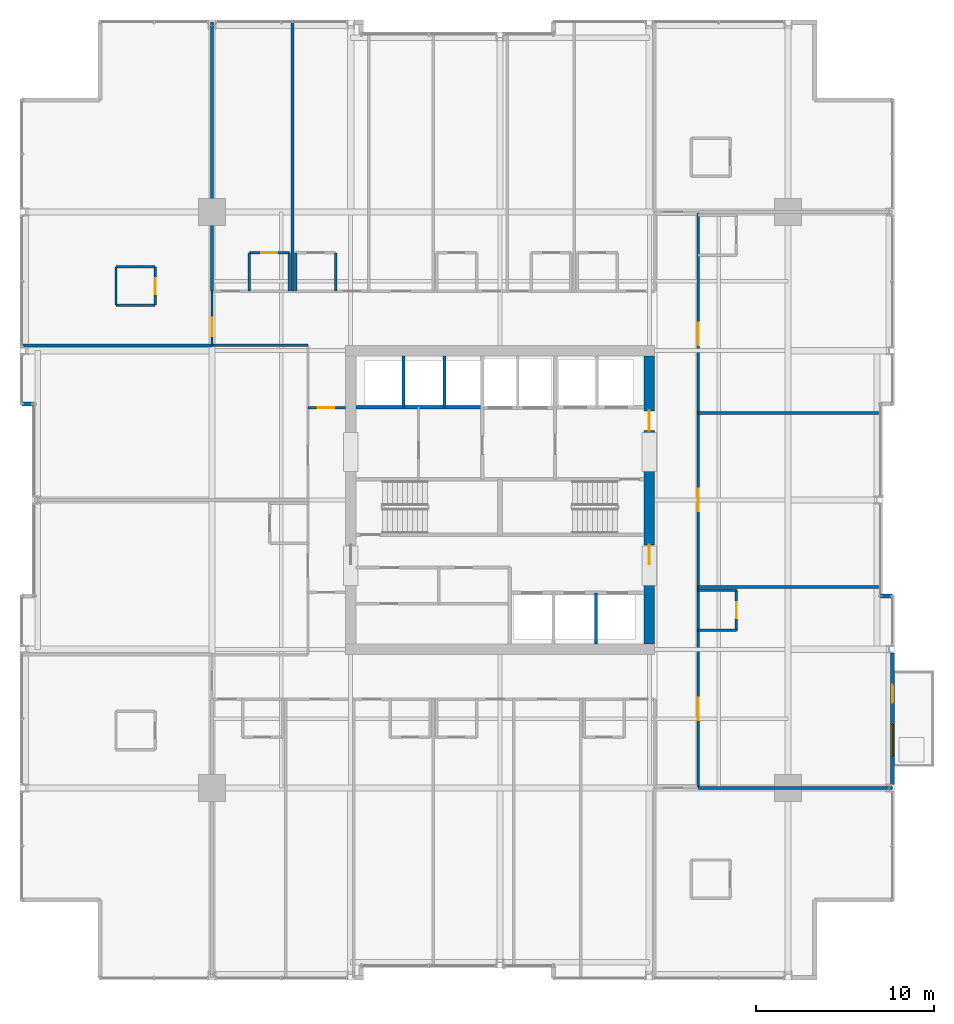
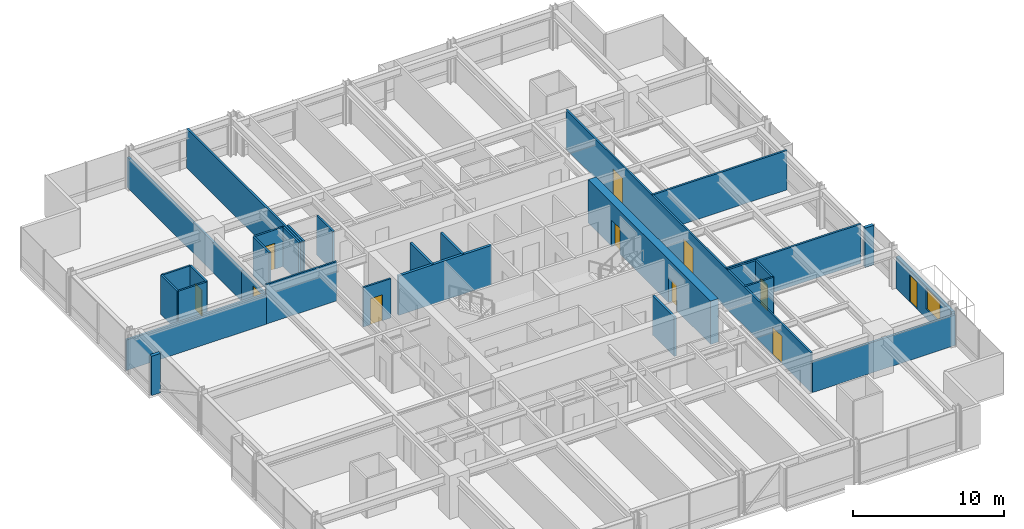
# One storey, part 30 of 35: 30 walls, 11 doors, 1 window, 12 openings.
"""IFC4 building model written with IfcOpenShell, lengths in metres."""

from ifc_helpers import new_model, si_unit, direction, frame, frame_2d, origin, place, context, subcontext, project, spatial, rectangle, extrude, material, layer, layer_set, type_object, element, fill, save


model = new_model("IFC4")

# Units and contexts
model_context = context("Model", 3, precision=1e-05, world=origin(), true_north=direction((0.0, 1.0)))
body_context = subcontext(model_context, "Body", "Model", "MODEL_VIEW")
ifc_project = project(units=[si_unit("LENGTHUNIT", "METRE"), si_unit("AREAUNIT", "SQUARE_METRE"), si_unit("VOLUMEUNIT", "CUBIC_METRE"), si_unit("PLANEANGLEUNIT", "RADIAN"), si_unit("MASSUNIT", "GRAM", prefix="KILO")], contexts=[model_context])

# Site, building, storey
site_placement = place(None, origin())
site = spatial("IfcSite", under=ifc_project, at=site_placement, CompositionType="ELEMENT")
building_placement = place(site_placement, origin())
building = spatial("IfcBuilding", under=site, at=building_placement, Name="Drelvath Grand Hotel", CompositionType="ELEMENT")
storey_placement = place(building_placement, frame((0.0, 0.0, 137.300048828125)))
storey = spatial("IfcBuildingStorey", under=building, at=storey_placement, Name="L35", CompositionType="ELEMENT", Elevation=137.300048828125)

# Walls
ifc_material_1 = material(Name="Concrete C40/50", Category="concrete")
ifc_layer_1 = layer(ifc_material_1, 0.199951171875)
ifc_layer_set_1 = layer_set([ifc_layer_1], Name="Concrete C40/50")
wall_type_1 = type_object("IfcWallType", Name="Core Hoistway Fire Wall 200", PredefinedType="SOLIDWALL", material=ifc_layer_set_1)
wall_1_placement = place(storey_placement, frame((-8.10009765625, 32.219970703125, 0.0), z_axis=(0.0, 0.0, 1.0), x_axis=(1.0, 0.0, 0.0)))
element("IfcWall", 1, at=wall_1_placement, inside=storey, type_object=wall_type_1, Name="L35 Bank 3 Hoistway Wall", PredefinedType="SOLIDWALL", context=body_context, shape_type="SweptSolid", body=[
    extrude(rectangle(XDim=7.10009765625, YDim=0.199951171875, at=frame_2d((3.550048828125, 0.0))), origin(), (0.0, 0.0, 1.0), 3.179931640625),
])
ifc_material_2 = material(Name="Gypsum Fireboard Partition")
ifc_layer_2 = layer(ifc_material_2, 0.1650390625)
ifc_layer_set_2 = layer_set([ifc_layer_2], Name="Gypsum Fireboard Partition")
wall_type_2 = type_object("IfcWallType", Name="Core Shaft Partition 165", PredefinedType="PARTITIONING", material=ifc_layer_set_2)
for number, where, z_axis, x_axis, name in (
    (2, (-5.43994140625, 32.219970703125, 0.0), (0.0, 0.0, 1.0), (0.0, 1.0, 0.0), "L35 Lift PE-7/8 Divider"),
    (3, (-3.1201171875, 32.219970703125, 0.0), (0.0, 0.0, 1.0), (0.0, 1.0, 0.0), "L35 Lift PE-8/9 Divider"),
    (4, (5.39990234375, 18.89990234375, 0.0), (0.0, 0.0, 1.0), (0.0, 1.0, 0.0), "L35 Lift PE-5/6 Divider"),
):
    element("IfcWall", number, at=place(storey_placement, frame(where, z_axis=z_axis, x_axis=x_axis)), inside=storey, type_object=wall_type_2, Name=name, PredefinedType="PARTITIONING", context=body_context, shape_type="SweptSolid", body=[
        extrude(rectangle(XDim=2.880126953125, YDim=0.1650390625, at=frame_2d((1.43994140625, 0.0))), origin(), (0.0, 0.0, 1.0), 3.179931640625),
    ])

# Wall, opening, door
ifc_layer_3 = layer(ifc_material_2, 0.135009765625)
ifc_layer_set_3 = layer_set([ifc_layer_3], Name="Gypsum Fireboard Partition")
wall_type_3 = type_object("IfcWallType", Name="Corridor Fire Barrier Wall 135", PredefinedType="PARTITIONING", material=ifc_layer_set_3)
wall_2_placement = place(storey_placement, frame((-10.800048828125, 32.199951171875, 0.0), z_axis=(0.0, 0.0, 1.0), x_axis=(1.0, 0.0, 0.0)))
wall_2 = element("IfcWall", 5, at=wall_2_placement, inside=storey, type_object=wall_type_3, Name="L35 West Foyer North Wall", PredefinedType="PARTITIONING", context=body_context, shape_type="SweptSolid", body=[
    extrude(rectangle(XDim=2.10009765625, YDim=0.135009765625, at=frame_2d((1.050048828125, 0.0))), origin(), (0.0, 0.0, 1.0), 3.179931640625),
])
opening_1_placement = place(wall_2_placement, frame((0.550048828125, 0.0, 0.0)))
opening_1 = element("IfcOpeningElement", 6, at=opening_1_placement, cuts=wall_2, Name="Opening D-T2G5-020", PredefinedType="OPENING", context=body_context, shape_type="SweptSolid", body=[
    extrude(rectangle(XDim=0.919921875, YDim=2.10009765625, at=frame_2d((0.4599609375, 1.050048828125))), frame((0.0, 0.077392578125, 0.0), z_axis=(0.0, -1.0, 0.0), x_axis=(1.0, 0.0, 0.0)), (0.0, 0.0, 1.0), 0.155029296875),
])
ifc_material_3 = material(Name="Painted Steel S275", Category="steel")
door_type_1 = type_object("IfcDoorType", Name="Staff Utility Door 920x2100", OperationType="NOTDEFINED", PredefinedType="DOOR", material=ifc_material_3)
door_1_placement = place(opening_1_placement, origin())
door_1 = element("IfcDoor", 7, at=door_1_placement, inside=storey, type_object=door_type_1, Name="L35 West Pantry Door", OperationType="SINGLE_SWING_LEFT", OverallHeight=2.10009765625, OverallWidth=0.919921875, PredefinedType="DOOR", context=body_context, shape_type="SweptSolid", body=[
    extrude(rectangle(XDim=0.919921875, YDim=2.10009765625, at=frame_2d((0.4599609375, 1.050048828125))), frame((0.0, 0.02490234375, 0.0), z_axis=(0.0, -1.0, 0.0), x_axis=(1.0, 0.0, 0.0)), (0.0, 0.0, 1.0), 0.050048828125),
])
fill(opening_1, door_1)

# Wall
wall_3_placement = place(storey_placement, frame((-16.199951171875, 35.699951171875, 0.0), z_axis=(0.0, 0.0, 1.0), x_axis=(1.0, 0.0, 0.0)))
element("IfcWall", 8, at=wall_3_placement, inside=storey, type_object=wall_type_3, Name="L35 NW Stub South Wall", PredefinedType="PARTITIONING", context=body_context, shape_type="SweptSolid", body=[
    extrude(rectangle(XDim=5.39990234375, YDim=0.135009765625, at=frame_2d((2.699951171875, 0.0))), origin(), (0.0, 0.0, 1.0), 3.179931640625),
])

# Wall, openings, doors
wall_4_placement = place(storey_placement, frame((11.14990234375, 10.800048828125, 0.0), z_axis=(0.0, 0.0, 1.0), x_axis=(0.0, 1.0, 0.0)))
wall_4 = element("IfcWall", 9, at=wall_4_placement, inside=storey, type_object=wall_type_3, Name="L35 East Spine Corridor Wall", PredefinedType="PARTITIONING", context=body_context, shape_type="SweptSolid", body=[
    extrude(rectangle(XDim=32.39990234375, YDim=0.135009765625, at=frame_2d((16.199951171875, 0.0))), origin(), (0.0, 0.0, 1.0), 3.179931640625),
])
opening_2_placement = place(wall_4_placement, frame((3.80615234375, 0.0, 0.0)))
opening_2 = element("IfcOpeningElement", 10, at=opening_2_placement, cuts=wall_4, Name="Opening D-T2G5-051", PredefinedType="OPENING", context=body_context, shape_type="SweptSolid", body=[
    extrude(rectangle(XDim=1.260009765625, YDim=2.199951171875, at=frame_2d((0.6298828125, 1.10009765625))), frame((0.0, 0.077392578125, 0.0), z_axis=(0.0, -1.0, 0.0), x_axis=(1.0, 0.0, 0.0)), (0.0, 0.0, 1.0), 0.155029296875),
])
opening_3_placement = place(wall_4_placement, frame((15.570068359375, 0.0, 0.0)))
opening_3 = element("IfcOpeningElement", 11, at=opening_3_placement, cuts=wall_4, Name="Opening D-T2G5-052", PredefinedType="OPENING", context=body_context, shape_type="SweptSolid", body=[
    extrude(rectangle(XDim=1.260009765625, YDim=2.199951171875, at=frame_2d((0.6298828125, 1.10009765625))), frame((0.0, 0.077392578125, 0.0), z_axis=(0.0, -1.0, 0.0), x_axis=(1.0, 0.0, 0.0)), (0.0, 0.0, 1.0), 0.155029296875),
])
opening_4_placement = place(wall_4_placement, frame((24.90380859375, 0.0, 0.0)))
opening_4 = element("IfcOpeningElement", 12, at=opening_4_placement, cuts=wall_4, Name="Opening D-T2G5-054", PredefinedType="OPENING", context=body_context, shape_type="SweptSolid", body=[
    extrude(rectangle(XDim=1.260009765625, YDim=2.199951171875, at=frame_2d((0.6298828125, 1.10009765625))), frame((0.0, 0.077392578125, 0.0), z_axis=(0.0, -1.0, 0.0), x_axis=(1.0, 0.0, 0.0)), (0.0, 0.0, 1.0), 0.155029296875),
])
ifc_material_4 = material(Name="Hardwood Walnut Timber", Category="wood")
door_type_2 = type_object("IfcDoorType", Name="Suite Entrance Fire Door 1260x2200", OperationType="NOTDEFINED", PredefinedType="DOOR", material=ifc_material_4)
door_2_placement = place(opening_2_placement, origin())
door_2 = element("IfcDoor", 13, at=door_2_placement, inside=storey, type_object=door_type_2, Name="L35 Corner Suite Entry Door", OperationType="SINGLE_SWING_RIGHT", OverallHeight=2.199951171875, OverallWidth=1.260009765625, PredefinedType="DOOR", context=body_context, shape_type="SweptSolid", body=[
    extrude(rectangle(XDim=1.260009765625, YDim=2.199951171875, at=frame_2d((0.6298828125, 1.10009765625))), frame((0.0, 0.02490234375, 0.0), z_axis=(0.0, -1.0, 0.0), x_axis=(1.0, 0.0, 0.0)), (0.0, 0.0, 1.0), 0.050048828125),
])
fill(opening_2, door_2)
door_3_placement = place(opening_3_placement, origin())
door_3 = element("IfcDoor", 14, at=door_3_placement, inside=storey, type_object=door_type_2, Name="L35 Concierge Suite Office Entry Door", OperationType="SINGLE_SWING_LEFT", OverallHeight=2.199951171875, OverallWidth=1.260009765625, PredefinedType="DOOR", context=body_context, shape_type="SweptSolid", body=[
    extrude(rectangle(XDim=1.260009765625, YDim=2.199951171875, at=frame_2d((0.6298828125, 1.10009765625))), frame((0.0, 0.02490234375, 0.0), z_axis=(0.0, -1.0, 0.0), x_axis=(1.0, 0.0, 0.0)), (0.0, 0.0, 1.0), 0.050048828125),
])
fill(opening_3, door_3)
door_4_placement = place(opening_4_placement, origin())
door_4 = element("IfcDoor", 15, at=door_4_placement, inside=storey, type_object=door_type_2, Name="L35 Corner Suite Entry Door", OperationType="SINGLE_SWING_LEFT", OverallHeight=2.199951171875, OverallWidth=1.260009765625, PredefinedType="DOOR", context=body_context, shape_type="SweptSolid", body=[
    extrude(rectangle(XDim=1.260009765625, YDim=2.199951171875, at=frame_2d((0.6298828125, 1.10009765625))), frame((0.0, 0.02490234375, 0.0), z_axis=(0.0, -1.0, 0.0), x_axis=(1.0, 0.0, 0.0)), (0.0, 0.0, 1.0), 0.050048828125),
])
fill(opening_4, door_4)

# Wall, opening, door
wall_5_placement = place(storey_placement, frame((-16.199951171875, 35.699951171875, 0.0), z_axis=(0.0, 0.0, 1.0), x_axis=(0.0, 1.0, 0.0)))
wall_5 = element("IfcWall", 16, at=wall_5_placement, inside=storey, type_object=wall_type_3, Name="L35 North Stub West End", PredefinedType="PARTITIONING", context=body_context, shape_type="SweptSolid", body=[
    extrude(rectangle(XDim=3.050048828125, YDim=0.135009765625, at=frame_2d((1.52490234375, 0.0))), origin(), (0.0, 0.0, 1.0), 2.469482421875),
])
opening_5_placement = place(wall_5_placement, frame((0.52001953125, 0.0, 0.0)))
opening_5 = element("IfcOpeningElement", 17, at=opening_5_placement, cuts=wall_5, Name="Opening D-T2G5-024", PredefinedType="OPENING", context=body_context, shape_type="SweptSolid", body=[
    extrude(rectangle(XDim=1.02001953125, YDim=2.14990234375, at=frame_2d((0.510009765625, 1.074951171875))), frame((0.0, 0.077392578125, 0.0), z_axis=(0.0, -1.0, 0.0), x_axis=(1.0, 0.0, 0.0)), (0.0, 0.0, 1.0), 0.155029296875),
])
door_type_3 = type_object("IfcDoorType", Name="Amenity Meeting Fire Door 1020x2150", OperationType="NOTDEFINED", PredefinedType="DOOR", material=ifc_material_4)
door_5_placement = place(opening_5_placement, origin())
door_5 = element("IfcDoor", 18, at=door_5_placement, inside=storey, type_object=door_type_3, Name="L35 Corner Suite Entry Door", OperationType="SINGLE_SWING_LEFT", OverallHeight=2.14990234375, OverallWidth=1.02001953125, PredefinedType="DOOR", context=body_context, shape_type="SweptSolid", body=[
    extrude(rectangle(XDim=1.02001953125, YDim=2.14990234375, at=frame_2d((0.510009765625, 1.074951171875))), frame((0.0, 0.02490234375, 0.0), z_axis=(0.0, -1.0, 0.0), x_axis=(1.0, 0.0, 0.0)), (0.0, 0.0, 1.0), 0.050048828125),
])
fill(opening_5, door_5)

# Walls
ifc_material_5 = material(Name="Moisture-Resistant Gypsum Board")
ifc_layer_4 = layer(ifc_material_5, 0.139892578125)
ifc_layer_set_4 = layer_set([ifc_layer_4], Name="Moisture-Resistant Gypsum Board")
wall_type_4 = type_object("IfcWallType", Name="En-Suite Plumbing Wall 140", PredefinedType="PLUMBINGWALL", material=ifc_layer_set_4)
for number, where, z_axis, x_axis, name in (
    (19, (-21.60009765625, 37.9599609375, 0.0), (0.0, 0.0, 1.0), (1.0, 0.0, 0.0), "L35 Corner En-Suite South"),
    (20, (-21.60009765625, 40.110107421875, 0.0), (0.0, 0.0, 1.0), (1.0, 0.0, 0.0), "L35 Corner En-Suite North"),
):
    element("IfcWall", number, at=place(storey_placement, frame(where, z_axis=z_axis, x_axis=x_axis)), inside=storey, type_object=wall_type_4, Name=name, PredefinedType="PLUMBINGWALL", context=body_context, shape_type="SweptSolid", body=[
        extrude(rectangle(XDim=2.2001953125, YDim=0.139892578125, at=frame_2d((1.10009765625, 0.0))), origin(), (0.0, 0.0, 1.0), 3.179931640625),
    ])
wall_6_placement = place(storey_placement, frame((-21.60009765625, 37.9599609375, 0.0), z_axis=(0.0, 0.0, 1.0), x_axis=(0.0, 1.0, 0.0)))
element("IfcWall", 21, at=wall_6_placement, inside=storey, type_object=wall_type_4, Name="L35 Corner En-Suite West", PredefinedType="PLUMBINGWALL", context=body_context, shape_type="SweptSolid", body=[
    extrude(rectangle(XDim=2.150146484375, YDim=0.139892578125, at=frame_2d((1.0751953125, 0.0))), origin(), (0.0, 0.0, 1.0), 3.179931640625),
])

# Wall, opening, door
wall_7_placement = place(storey_placement, frame((-19.39990234375, 37.9599609375, 0.0), z_axis=(0.0, 0.0, 1.0), x_axis=(0.0, 1.0, 0.0)))
wall_7 = element("IfcWall", 22, at=wall_7_placement, inside=storey, type_object=wall_type_4, Name="L35 Corner En-Suite East", PredefinedType="PLUMBINGWALL", context=body_context, shape_type="SweptSolid", body=[
    extrude(rectangle(XDim=2.150146484375, YDim=0.139892578125, at=frame_2d((1.0751953125, 0.0))), origin(), (0.0, 0.0, 1.0), 3.179931640625),
])
opening_6_placement = place(wall_7_placement, frame((0.6201171875, 0.0, 0.0)))
opening_6 = element("IfcOpeningElement", 23, at=opening_6_placement, cuts=wall_7, Name="Opening D-T2G5-023", PredefinedType="OPENING", context=body_context, shape_type="SweptSolid", body=[
    extrude(rectangle(XDim=0.8798828125, YDim=2.10009765625, at=frame_2d((0.43994140625, 1.050048828125))), frame((0.0, 0.079833984375, 0.0), z_axis=(0.0, -1.0, 0.0), x_axis=(1.0, 0.0, 0.0)), (0.0, 0.0, 1.0), 0.159912109375),
])
door_type_4 = type_object("IfcDoorType", Name="En-Suite Bathroom Door 880x2100", OperationType="NOTDEFINED", PredefinedType="DOOR", material=ifc_material_4)
door_6_placement = place(opening_6_placement, origin())
door_6 = element("IfcDoor", 24, at=door_6_placement, inside=storey, type_object=door_type_4, Name="L35 Corner En-Suite Door", OperationType="SINGLE_SWING_RIGHT", OverallHeight=2.10009765625, OverallWidth=0.8798828125, PredefinedType="DOOR", context=body_context, shape_type="SweptSolid", body=[
    extrude(rectangle(XDim=0.8798828125, YDim=2.10009765625, at=frame_2d((0.43994140625, 1.050048828125))), frame((0.0, 0.02490234375, 0.0), z_axis=(0.0, -1.0, 0.0), x_axis=(1.0, 0.0, 0.0)), (0.0, 0.0, 1.0), 0.050048828125),
])
fill(opening_6, door_6)

# Walls
for number, where, z_axis, x_axis, name in (
    (25, (-14.102783203125, 38.75, 0.0), (0.0, 0.0, 1.0), (0.0, 1.0, 0.0), "L35 En-Suite Left Wall"),
    (26, (-11.852783203125, 38.75, 0.0), (0.0, 0.0, 1.0), (0.0, 1.0, 0.0), "L35 En-Suite Right Wall"),
):
    element("IfcWall", number, at=place(storey_placement, frame(where, z_axis=z_axis, x_axis=x_axis)), inside=storey, type_object=wall_type_4, Name=name, PredefinedType="PLUMBINGWALL", context=body_context, shape_type="SweptSolid", body=[
        extrude(rectangle(XDim=2.14990234375, YDim=0.139892578125, at=frame_2d((1.074951171875, 0.0))), origin(), (0.0, 0.0, 1.0), 3.179931640625),
    ])

# Wall, opening, door
wall_8_placement = place(storey_placement, frame((-14.102783203125, 40.89990234375, 0.0), z_axis=(0.0, 0.0, 1.0), x_axis=(1.0, 0.0, 0.0)))
wall_8 = element("IfcWall", 27, at=wall_8_placement, inside=storey, type_object=wall_type_4, Name="L35 En-Suite Front Wall", PredefinedType="PLUMBINGWALL", context=body_context, shape_type="SweptSolid", body=[
    extrude(rectangle(XDim=2.25, YDim=0.139892578125, at=frame_2d((1.125, 0.0))), origin(), (0.0, 0.0, 1.0), 3.179931640625),
])
opening_7_placement = place(wall_8_placement, frame((0.68505859375, 0.0, 0.0)))
opening_7 = element("IfcOpeningElement", 28, at=opening_7_placement, cuts=wall_8, Name="Opening D-T2G5-039", PredefinedType="OPENING", context=body_context, shape_type="SweptSolid", body=[
    extrude(rectangle(XDim=0.8798828125, YDim=2.10009765625, at=frame_2d((0.43994140625, 1.050048828125))), frame((0.0, 0.079833984375, 0.0), z_axis=(0.0, -1.0, 0.0), x_axis=(1.0, 0.0, 0.0)), (0.0, 0.0, 1.0), 0.159912109375),
])
door_7_placement = place(opening_7_placement, origin())
door_7 = element("IfcDoor", 29, at=door_7_placement, inside=storey, type_object=door_type_4, Name="L35 En-Suite Bathroom Door", OperationType="SINGLE_SWING_RIGHT", OverallHeight=2.10009765625, OverallWidth=0.8798828125, PredefinedType="DOOR", context=body_context, shape_type="SweptSolid", body=[
    extrude(rectangle(XDim=0.8798828125, YDim=2.10009765625, at=frame_2d((0.43994140625, 1.050048828125))), frame((0.0, 0.02490234375, 0.0), z_axis=(0.0, -1.0, 0.0), x_axis=(1.0, 0.0, 0.0)), (0.0, 0.0, 1.0), 0.050048828125),
])
fill(opening_7, door_7)

# Walls
for number, where, z_axis, x_axis, name in (
    (30, (-11.49267578125, 38.75, 0.0), (0.0, 0.0, 1.0), (0.0, 1.0, 0.0), "L35 En-Suite Left Wall"),
    (31, (-9.24267578125, 38.75, 0.0), (0.0, 0.0, 1.0), (0.0, 1.0, 0.0), "L35 En-Suite Right Wall"),
):
    element("IfcWall", number, at=place(storey_placement, frame(where, z_axis=z_axis, x_axis=x_axis)), inside=storey, type_object=wall_type_4, Name=name, PredefinedType="PLUMBINGWALL", context=body_context, shape_type="SweptSolid", body=[
        extrude(rectangle(XDim=2.14990234375, YDim=0.139892578125, at=frame_2d((1.074951171875, 0.0))), origin(), (0.0, 0.0, 1.0), 3.179931640625),
    ])
for number, where, z_axis, x_axis, name in (
    (32, (11.14990234375, 19.67236328125, 0.0), (0.0, 0.0, 1.0), (1.0, 0.0, 0.0), "L35 En-Suite Left Wall"),
    (33, (11.14990234375, 21.92236328125, 0.0), (0.0, 0.0, 1.0), (1.0, 0.0, 0.0), "L35 En-Suite Right Wall"),
):
    element("IfcWall", number, at=place(storey_placement, frame(where, z_axis=z_axis, x_axis=x_axis)), inside=storey, type_object=wall_type_4, Name=name, PredefinedType="PLUMBINGWALL", context=body_context, shape_type="SweptSolid", body=[
        extrude(rectangle(XDim=2.150146484375, YDim=0.139892578125, at=frame_2d((1.0751953125, 0.0))), origin(), (0.0, 0.0, 1.0), 3.179931640625),
    ])

# Wall, opening, door
wall_9_placement = place(storey_placement, frame((13.300048828125, 19.67236328125, 0.0), z_axis=(0.0, 0.0, 1.0), x_axis=(0.0, 1.0, 0.0)))
wall_9 = element("IfcWall", 34, at=wall_9_placement, inside=storey, type_object=wall_type_4, Name="L35 En-Suite Front Wall", PredefinedType="PLUMBINGWALL", context=body_context, shape_type="SweptSolid", body=[
    extrude(rectangle(XDim=2.25, YDim=0.139892578125, at=frame_2d((1.125, 0.0))), origin(), (0.0, 0.0, 1.0), 3.179931640625),
])
opening_8_placement = place(wall_9_placement, frame((0.68505859375, 0.0, 0.0)))
opening_8 = element("IfcOpeningElement", 35, at=opening_8_placement, cuts=wall_9, Name="Opening D-T2G5-050", PredefinedType="OPENING", context=body_context, shape_type="SweptSolid", body=[
    extrude(rectangle(XDim=0.8798828125, YDim=2.10009765625, at=frame_2d((0.43994140625, 1.050048828125))), frame((0.0, 0.079833984375, 0.0), z_axis=(0.0, -1.0, 0.0), x_axis=(1.0, 0.0, 0.0)), (0.0, 0.0, 1.0), 0.159912109375),
])
door_8_placement = place(opening_8_placement, origin())
door_8 = element("IfcDoor", 36, at=door_8_placement, inside=storey, type_object=door_type_4, Name="L35 En-Suite Bathroom Door", OperationType="SINGLE_SWING_LEFT", OverallHeight=2.10009765625, OverallWidth=0.8798828125, PredefinedType="DOOR", context=body_context, shape_type="SweptSolid", body=[
    extrude(rectangle(XDim=0.8798828125, YDim=2.10009765625, at=frame_2d((0.43994140625, 1.050048828125))), frame((0.0, 0.02490234375, 0.0), z_axis=(0.0, -1.0, 0.0), x_axis=(1.0, 0.0, 0.0)), (0.0, 0.0, 1.0), 0.050048828125),
])
fill(opening_8, door_8)

# Walls
ifc_material_6 = material(Name="Gypsum Acoustic Partition")
ifc_layer_5 = layer(ifc_material_6, 0.14990234375)
ifc_layer_set_5 = layer_set([ifc_layer_5], Name="Gypsum Acoustic Partition")
wall_type_5 = type_object("IfcWallType", Name="Guestroom Demising Wall 150", PredefinedType="PARTITIONING", material=ifc_layer_set_5)
wall_10_placement = place(storey_placement, frame((-11.672607421875, 38.75, 0.0), z_axis=(0.0, 0.0, 1.0), x_axis=(0.0, 1.0, 0.0)))
element("IfcWall", 37, at=wall_10_placement, inside=storey, type_object=wall_type_5, Name="L35 North Demising 1", PredefinedType="PARTITIONING", context=body_context, shape_type="SweptSolid", body=[
    extrude(rectangle(XDim=15.1298828125, YDim=0.14990234375, at=frame_2d((7.56494140625, 0.0))), origin(), (0.0, 0.0, 1.0), 3.179931640625),
])
for number, where, z_axis, x_axis, name in (
    (38, (11.14990234375, 22.102294921875, 0.0), (0.0, 0.0, 1.0), (1.0, 0.0, 0.0), "L35 East Demising 1"),
    (39, (11.14990234375, 31.897705078125, 0.0), (0.0, 0.0, 1.0), (1.0, 0.0, 0.0), "L35 East Demising 2"),
):
    element("IfcWall", number, at=place(storey_placement, frame(where, z_axis=z_axis, x_axis=x_axis)), inside=storey, type_object=wall_type_5, Name=name, PredefinedType="PARTITIONING", context=body_context, shape_type="SweptSolid", body=[
        extrude(rectangle(XDim=10.25, YDim=0.14990234375, at=frame_2d((5.125, 0.0))), origin(), (0.0, 0.0, 1.0), 3.179931640625),
    ])

# Wall, openings, doors
ifc_material_7 = material(Name="Concrete f'c 70 MPa", Category="concrete")
ifc_layer_6 = layer(ifc_material_7, 0.60009765625)
ifc_layer_set_6 = layer_set([ifc_layer_6], Name="Concrete f'c 70 MPa")
wall_type_6 = type_object("IfcWallType", Name="Lower Core RC Shear Wall 600", PredefinedType="SHEAR", material=ifc_layer_set_6)
wall_11_placement = place(storey_placement, frame((8.39990234375, 35.10009765625, 0.0), z_axis=(0.0, 0.0, 1.0), x_axis=(0.0, -1.0, 0.0)))
wall_11 = element("IfcWall", 40, at=wall_11_placement, inside=storey, type_object=wall_type_6, Name="L35 Central Core Shear Wall E", PredefinedType="SHEAR", context=body_context, shape_type="SweptSolid", body=[
    extrude(rectangle(XDim=16.2001953125, YDim=0.60009765625, at=frame_2d((8.10009765625, 0.0))), origin(), (0.0, 0.0, 1.0), 3.5),
])
opening_9_placement = place(wall_11_placement, frame((3.080078125, 0.0, 0.0)))
opening_9 = element("IfcOpeningElement", 41, at=opening_9_placement, cuts=wall_11, Name="Opening D-T2G5-006", PredefinedType="OPENING", context=body_context, shape_type="SweptSolid", body=[
    extrude(rectangle(XDim=1.1201171875, YDim=2.10009765625, at=frame_2d((0.56005859375, 1.050048828125))), frame((0.0, 0.31005859375, 0.0), z_axis=(0.0, -1.0, 0.0), x_axis=(1.0, 0.0, 0.0)), (0.0, 0.0, 1.0), 0.6201171875),
])
opening_10_placement = place(wall_11_placement, frame((10.6201171875, 0.0, 0.0)))
opening_10 = element("IfcOpeningElement", 42, at=opening_10_placement, cuts=wall_11, Name="Opening D-T2G5-015", PredefinedType="OPENING", context=body_context, shape_type="SweptSolid", body=[
    extrude(rectangle(XDim=1.080078125, YDim=2.0400390625, at=frame_2d((0.5400390625, 1.02001953125))), frame((0.0, 0.31005859375, 0.0), z_axis=(0.0, -1.0, 0.0), x_axis=(1.0, 0.0, 0.0)), (0.0, 0.0, 1.0), 0.6201171875),
])
door_type_5 = type_object("IfcDoorType", Name="Core Corridor Fire Door 1080x2100", OperationType="NOTDEFINED", PredefinedType="DOOR", material=ifc_material_3)
door_9_placement = place(opening_10_placement, origin())
door_9 = element("IfcDoor", 43, at=door_9_placement, inside=storey, type_object=door_type_5, Name="L35 Mid-Rise Lobby East Door", OperationType="SINGLE_SWING_RIGHT", OverallHeight=2.0400390625, OverallWidth=1.080078125, PredefinedType="DOOR", context=body_context, shape_type="SweptSolid", body=[
    extrude(rectangle(XDim=1.080078125, YDim=2.0400390625, at=frame_2d((0.5400390625, 1.02001953125))), frame((0.0, 0.02490234375, 0.0), z_axis=(0.0, -1.0, 0.0), x_axis=(1.0, 0.0, 0.0)), (0.0, 0.0, 1.0), 0.050048828125),
])
fill(opening_10, door_9)
door_type_6 = type_object("IfcDoorType", Name="FSAE Smoke Lobby Fire Door 1120x2100", OperationType="NOTDEFINED", PredefinedType="DOOR", material=ifc_material_3)
door_10_placement = place(opening_9_placement, origin())
door_10 = element("IfcDoor", 44, at=door_10_placement, inside=storey, type_object=door_type_6, Name="L35 FSAE Lobby East Corridor Door", OperationType="SINGLE_SWING_LEFT", OverallHeight=2.10009765625, OverallWidth=1.1201171875, PredefinedType="DOOR", context=body_context, shape_type="SweptSolid", body=[
    extrude(rectangle(XDim=1.1201171875, YDim=2.10009765625, at=frame_2d((0.56005859375, 1.050048828125))), frame((0.0, 0.02490234375, 0.0), z_axis=(0.0, -1.0, 0.0), x_axis=(1.0, 0.0, 0.0)), (0.0, 0.0, 1.0), 0.050048828125),
])
fill(opening_9, door_10)

# Walls
ifc_layer_7 = layer(ifc_material_6, 0.1650390625)
ifc_layer_set_7 = layer_set([ifc_layer_7], Name="Gypsum Acoustic Partition")
wall_type_7 = type_object("IfcWallType", Name="Suite Demising Wall 165", PredefinedType="PARTITIONING", material=ifc_layer_set_7)
wall_12_placement = place(storey_placement, frame((-16.199951171875, 38.75, 0.0), z_axis=(0.0, 0.0, 1.0), x_axis=(0.0, 1.0, 0.0)))
element("IfcWall", 45, at=wall_12_placement, inside=storey, type_object=wall_type_7, Name="L35 NW Suite East Wall", PredefinedType="PARTITIONING", context=body_context, shape_type="SweptSolid", body=[
    extrude(rectangle(XDim=15.1298828125, YDim=0.1650390625, at=frame_2d((7.56494140625, 0.0))), origin(), (0.0, 0.0, 1.0), 2.469482421875),
])
wall_13_placement = place(storey_placement, frame((11.14990234375, 10.800048828125, 0.0), z_axis=(0.0, 0.0, 1.0), x_axis=(1.0, 0.0, 0.0)))
element("IfcWall", 46, at=wall_13_placement, inside=storey, type_object=wall_type_7, Name="L35 SE Suite North Wall", PredefinedType="PARTITIONING", context=body_context, shape_type="SweptSolid", body=[
    extrude(rectangle(XDim=10.93017578125, YDim=0.1650390625, at=frame_2d((5.465087890625, 0.0))), origin(), (0.0, 0.0, 1.0), 2.469482421875),
])
wall_14_placement = place(storey_placement, frame((-26.8798828125, 35.699951171875, 0.0), z_axis=(0.0, 0.0, 1.0), x_axis=(1.0, 0.0, 0.0)))
element("IfcWall", 47, at=wall_14_placement, inside=storey, type_object=wall_type_7, Name="L35 NW Suite South Wall", PredefinedType="PARTITIONING", context=body_context, shape_type="SweptSolid", body=[
    extrude(rectangle(XDim=10.679931640625, YDim=0.1650390625, at=frame_2d((5.33984375, 0.0))), origin(), (0.0, 0.0, 1.0), 2.469482421875),
])

# Wall, openings, window, door
ifc_material_8 = material(Name="Pale-Metal Insulated Aluminium Spandrel Assembly", Category="aluminium")
ifc_layer_8 = layer(ifc_material_8, 0.239990234375)
ifc_layer_set_8 = layer_set([ifc_layer_8], Name="Pale-Metal Insulated Aluminium Spandrel Assembly")
wall_type_8 = type_object("IfcWallType", Name="Tower Insulated Metal Spandrel Closure Wall 240", PredefinedType="STANDARD", material=ifc_layer_set_8)
wall_15_placement = place(storey_placement, frame((22.080078125, 18.390625, 0.0), z_axis=(0.0, 0.0, 1.0), x_axis=(0.0, -1.0, 0.0)))
wall_15 = element("IfcWall", 48, at=wall_15_placement, inside=storey, type_object=wall_type_8, Name="L35 Exterior Terrace Door Bay Wall ES2", PredefinedType="STANDARD", context=body_context, shape_type="SweptSolid", body=[
    extrude(rectangle(XDim=7.381103515625, YDim=0.239990234375, at=frame_2d((3.6904296875, 0.0))), origin(), (0.0, 0.0, 1.0), 2.56884765625),
])
opening_11_placement = place(wall_15_placement, frame((1.79052734375, 0.0, 0.0)))
opening_11 = element("IfcOpeningElement", 49, at=opening_11_placement, cuts=wall_15, Name="Opening TD-1000", PredefinedType="OPENING", context=body_context, shape_type="SweptSolid", body=[
    extrude(rectangle(XDim=1.0, YDim=2.199951171875, at=frame_2d((0.5, 1.10009765625))), frame((0.0, 0.1298828125, 0.0), z_axis=(0.0, -1.0, 0.0), x_axis=(1.0, 0.0, 0.0)), (0.0, 0.0, 1.0), 0.260009765625),
])
opening_12_placement = place(wall_15_placement, frame((4.011474609375, 0.0, 0.75)))
opening_12 = element("IfcOpeningElement", 50, at=opening_12_placement, cuts=wall_15, Name="Opening W-02", PredefinedType="OPENING", context=body_context, shape_type="SweptSolid", body=[
    extrude(rectangle(XDim=1.800048828125, YDim=1.71875, at=frame_2d((0.89990234375, 0.859375))), frame((0.0, 0.1298828125, 0.0), z_axis=(0.0, -1.0, 0.0), x_axis=(1.0, 0.0, 0.0)), (0.0, 0.0, 1.0), 0.260009765625),
])
ifc_material_9 = material(Name="Bronze Anodised Low-E Triple Glazing", Category="glass")
window_type = type_object("IfcWindowType", Name="Chicago Double-Pane Podium Window 1800x2400", PartitioningType="DOUBLE_PANEL_VERTICAL", PredefinedType="WINDOW", material=ifc_material_9)
window_placement = place(opening_12_placement, origin())
window = element("IfcWindow", 51, at=window_placement, inside=storey, type_object=window_type, Name="L35 Terrace Bay Companion Window ES2", OverallHeight=1.71875, OverallWidth=1.800048828125, PartitioningType="SINGLE_PANEL", PredefinedType="WINDOW", context=body_context, shape_type="SweptSolid", body=[
    extrude(rectangle(XDim=1.800048828125, YDim=1.71875, at=frame_2d((0.89990234375, 0.859375))), frame((0.0, 0.030029296875, 0.0), z_axis=(0.0, -1.0, 0.0), x_axis=(1.0, 0.0, 0.0)), (0.0, 0.0, 1.0), 0.06005859375),
])
fill(opening_12, window)
ifc_material_10 = material(Name="Anodised Aluminium Thermally Broken Glazed Door", Category="aluminium")
door_type_7 = type_object("IfcDoorType", Name="Terrace and Tree Balcony Glazed Door 1000x2200", OperationType="NOTDEFINED", PredefinedType="DOOR", material=ifc_material_10)
door_11_placement = place(opening_11_placement, origin())
door_11 = element("IfcDoor", 52, at=door_11_placement, inside=storey, type_object=door_type_7, Name="L35 Tree Balcony Door DOOR-L35-TBAL-1", OperationType="SINGLE_SWING_LEFT", OverallHeight=2.199951171875, OverallWidth=1.0, PredefinedType="DOOR", context=body_context, shape_type="SweptSolid", body=[
    extrude(rectangle(XDim=1.0, YDim=2.199951171875, at=frame_2d((0.5, 1.10009765625))), frame((0.0, 0.02490234375, 0.0), z_axis=(0.0, -1.0, 0.0), x_axis=(1.0, 0.0, 0.0)), (0.0, 0.0, 1.0), 0.050048828125),
])
fill(opening_11, door_11)

# Walls
wall_16_placement = place(storey_placement, frame((-26.199951171875, 32.39990234375, 0.0), z_axis=(0.0, 0.0, 1.0), x_axis=(-1.0, 0.0, 0.0)))
element("IfcWall", 53, at=wall_16_placement, inside=storey, type_object=wall_type_8, Name="L35 Notched Corner Return Spandrel Wall RW2", PredefinedType="STANDARD", context=body_context, shape_type="SweptSolid", body=[
    extrude(rectangle(XDim=0.679931640625, YDim=0.239990234375, at=frame_2d((0.33984375, 0.0))), origin(), (0.0, 0.0, 1.0), 3.179931640625),
])
wall_17_placement = place(storey_placement, frame((21.39990234375, 21.60009765625, 0.0), z_axis=(0.0, 0.0, 1.0), x_axis=(1.0, 0.0, 0.0)))
element("IfcWall", 54, at=wall_17_placement, inside=storey, type_object=wall_type_8, Name="L35 Notched Corner Return Spandrel Wall RE2", PredefinedType="STANDARD", context=body_context, shape_type="SweptSolid", body=[
    extrude(rectangle(XDim=0.68017578125, YDim=0.239990234375, at=frame_2d((0.340087890625, 0.0))), origin(), (0.0, 0.0, 1.0), 3.179931640625),
])

save(model, "model.ifc")
